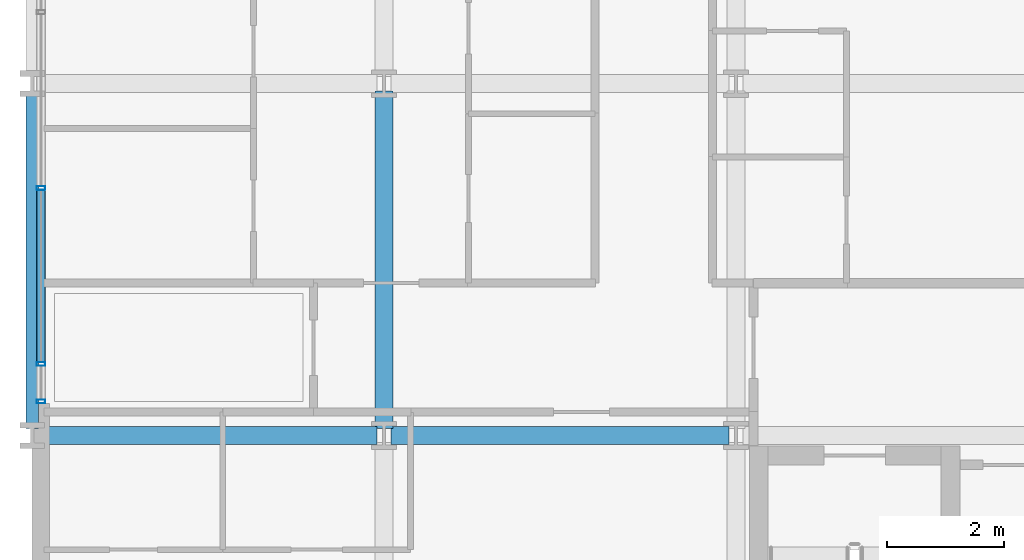
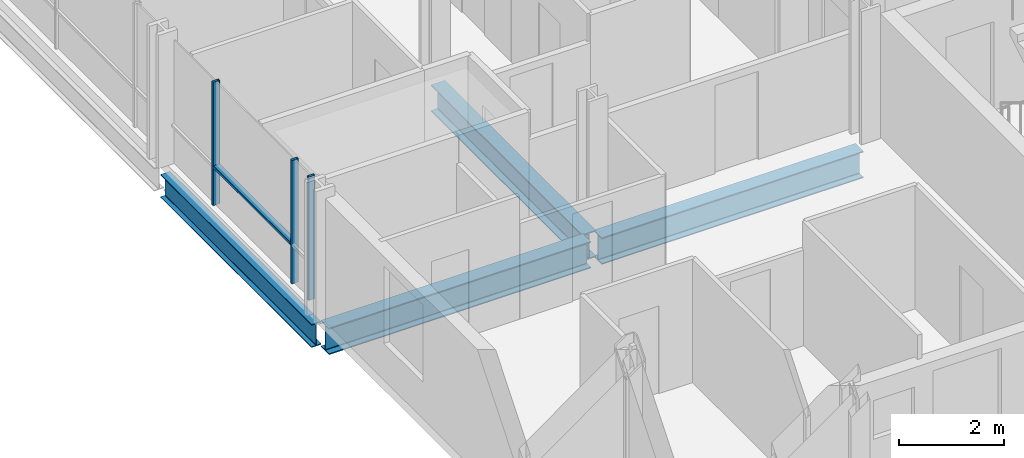
# One storey, part 2 of 41: 4 beams, 4 members, 1 element without a shape of its own.
"""IFC4 building model written with IfcOpenShell, lengths in metres."""

from ifc_helpers import new_model, si_unit, direction, frame, origin, origin_2d, place, context, subcontext, project, spatial, hollow_rectangle, i_section, extrude, material, layer, layer_set, material_profile, profile_set, type_object, element, aggregate, save


model = new_model("IFC4")

# Units and contexts
model_context = context("Model", 3, precision=1e-05, world=origin(), true_north=direction((0.0, 1.0)))
body_context = subcontext(model_context, "Body", "Model", "MODEL_VIEW")
ifc_project = project(units=[si_unit("LENGTHUNIT", "METRE"), si_unit("AREAUNIT", "SQUARE_METRE"), si_unit("VOLUMEUNIT", "CUBIC_METRE"), si_unit("PLANEANGLEUNIT", "RADIAN"), si_unit("MASSUNIT", "GRAM", prefix="KILO")], contexts=[model_context])

# Site, building, storey
site_placement = place(None, origin())
site = spatial("IfcSite", under=ifc_project, at=site_placement, CompositionType="ELEMENT")
building_placement = place(site_placement, origin())
building = spatial("IfcBuilding", under=site, at=building_placement, Name="Brevholm Reach", CompositionType="ELEMENT")
storey_placement = place(building_placement, frame((0.0, 0.0, 43.5)))
storey = spatial("IfcBuildingStorey", under=building, at=storey_placement, Name="L11", CompositionType="ELEMENT", Elevation=43.5)

# Beams
ifc_material_1 = material(Name="Structural Steel S355J2", Category="steel")
ifc_material_profile_1 = material_profile(ifc_material_1, i_section(OverallWidth=0.210693359375, OverallDepth=0.53955078125, WebThickness=0.01171875, FlangeThickness=0.018798828125, FilletRadius=0.0126953125, at=origin_2d()), Name="UKB 533x210x109")
ifc_profile_set_1 = profile_set([ifc_material_profile_1], Name="Structural Steel S355J2")
beam_type_1 = type_object("IfcBeamType", Name="BM-SP539", PredefinedType="SPANDREL", material=ifc_profile_set_1)
beam_placement = place(storey_placement, frame((0.0, 10.1201171875, -0.499755859375), z_axis=(0.0, 1.0, 0.0), x_axis=(-1.0, 0.0, 0.0)))
element("IfcBeam", 1, at=beam_placement, inside=storey, type_object=beam_type_1, Name="L11 SP-01B Framing Beam", PredefinedType="SPANDREL", context=body_context, shape_type="SweptSolid", body=[
    extrude(i_section(OverallWidth=0.210693359375, OverallDepth=0.53955078125, WebThickness=0.01171875, FlangeThickness=0.018798828125, FilletRadius=0.0126953125, at=origin_2d()), origin(), (0.0, 0.0, 1.0), 5.759765625),
])
ifc_material_2 = material(Name="Structural Steel S355J2", Category="steel")
ifc_material_profile_2 = material_profile(ifc_material_2, i_section(OverallWidth=0.30712890625, OverallDepth=0.6201171875, WebThickness=0.01416015625, FlangeThickness=0.023681640625, FilletRadius=0.0166015625, at=origin_2d()), Name="UKB 610x305x179")
ifc_profile_set_2 = profile_set([ifc_material_profile_2], Name="Structural Steel S355J2")
beam_type_2 = type_object("IfcBeamType", Name="BM-UKB610H", PredefinedType="USERDEFINED", material=ifc_profile_set_2)
for number, where, z_axis, x_axis, name in (
    (2, (0.1201171875, 10.0, -0.5400390625), (1.0, 0.0, 0.0), (0.0, 1.0, 0.0), "L11 G-06 Framing Beam"),
    (3, (6.1201171875, 10.0, -0.5400390625), (1.0, 0.0, 0.0), (0.0, 1.0, 0.0), "L11 G-06 Framing Beam"),
    (4, (6.0, 10.1201171875, -0.5400390625), (0.0, 1.0, 0.0), (-1.0, 0.0, 0.0), "L11 G-06 Framing Beam"),
):
    element("IfcBeam", number, at=place(storey_placement, frame(where, z_axis=z_axis, x_axis=x_axis)), inside=storey, type_object=beam_type_2, Name=name, ObjectType="GIRDER", PredefinedType="USERDEFINED", context=body_context, shape_type="SweptSolid", body=[
        extrude(i_section(OverallWidth=0.30712890625, OverallDepth=0.6201171875, WebThickness=0.01416015625, FlangeThickness=0.023681640625, FilletRadius=0.0166015625, at=origin_2d()), origin(), (0.0, 0.0, 1.0), 5.759765625),
    ])

# Curtain wall, members
ifc_material_3 = material(Name="Dark Anodised Aluminium 6063-T6 and Solar-Control Glass", Category="aluminium")
ifc_layer = layer(ifc_material_3, 0.14990234375)
ifc_layer_set = layer_set([ifc_layer], Name="Dark Anodised Aluminium 6063-T6 and Solar-Control Glass")
curtain_wall_type = type_object("IfcCurtainWallType", Name="CW-01", PredefinedType="NOTDEFINED", material=ifc_layer_set)
curtain_wall_placement = place(storey_placement, origin())
curtain_wall = element("IfcCurtainWall", 5, at=curtain_wall_placement, inside=storey, type_object=curtain_wall_type, Name="L11 Curtain Wall CW-01", PredefinedType="NOTDEFINED")
ifc_material_4 = material(Name="Dark Anodised Aluminium 6063-T6", Category="aluminium")
ifc_material_profile_3 = material_profile(ifc_material_4, hollow_rectangle(XDim=0.06494140625, YDim=0.14990234375, WallThickness=0.0048828125, InnerFilletRadius=0.0048828125, OuterFilletRadius=0.010009765625, at=origin_2d()), Name="RHS 150x65x5")
ifc_profile_set_3 = profile_set([ifc_material_profile_3], Name="Dark Anodised Aluminium 6063-T6")
member_type_1 = type_object("IfcMemberType", Name="CWM-150", PredefinedType="MULLION", material=ifc_profile_set_3)
member_1_placement = place(storey_placement, frame((0.14990234375, 14.219970703125, 0.0), z_axis=(0.0, 0.0, 1.0), x_axis=(0.0, -1.0, 0.0)))
member_1 = element("IfcMember", 6, at=member_1_placement, type_object=member_type_1, Name="CM-150 Mullion 4", PredefinedType="MULLION", context=body_context, shape_type="SweptSolid", body=[
    extrude(hollow_rectangle(XDim=0.06494140625, YDim=0.14990234375, WallThickness=0.0048828125, InnerFilletRadius=0.0048828125, OuterFilletRadius=0.010009765625, at=origin_2d()), origin(), (0.0, 0.0, 1.0), 2.8701171875),
])
member_2_placement = place(storey_placement, frame((0.14990234375, 11.219970703125, 0.0), z_axis=(0.0, 0.0, 1.0), x_axis=(0.0, -1.0, 0.0)))
member_2 = element("IfcMember", 7, at=member_2_placement, type_object=member_type_1, Name="CM-150 Mullion 5", PredefinedType="MULLION", context=body_context, shape_type="SweptSolid", body=[
    extrude(hollow_rectangle(XDim=0.06494140625, YDim=0.14990234375, WallThickness=0.0048828125, InnerFilletRadius=0.0048828125, OuterFilletRadius=0.010009765625, at=origin_2d()), origin(), (0.0, 0.0, 1.0), 2.8701171875),
])
member_3_placement = place(storey_placement, frame((0.14990234375, 10.58251953125, 0.0), z_axis=(0.0, 0.0, 1.0), x_axis=(0.0, -1.0, 0.0)))
member_3 = element("IfcMember", 8, at=member_3_placement, type_object=member_type_1, Name="CM-150 Mullion 6", PredefinedType="MULLION", context=body_context, shape_type="SweptSolid", body=[
    extrude(hollow_rectangle(XDim=0.06494140625, YDim=0.14990234375, WallThickness=0.0048828125, InnerFilletRadius=0.0048828125, OuterFilletRadius=0.010009765625, at=origin_2d()), origin(), (0.0, 0.0, 1.0), 2.8701171875),
])
ifc_material_5 = material(Name="Dark Anodised Aluminium 6063-T6", Category="aluminium")
ifc_material_profile_4 = material_profile(ifc_material_5, hollow_rectangle(XDim=0.06494140625, YDim=0.14990234375, WallThickness=0.0048828125, InnerFilletRadius=0.0048828125, OuterFilletRadius=0.010009765625, at=origin_2d()), Name="RHS 150x65x5")
ifc_profile_set_4 = profile_set([ifc_material_profile_4], Name="Dark Anodised Aluminium 6063-T6")
member_type_2 = type_object("IfcMemberType", Name="CWT-150", PredefinedType="NOTDEFINED", material=ifc_profile_set_4)
member_4_placement = place(storey_placement, frame((0.14990234375, 14.1875, 0.89990234375), z_axis=(0.0, -1.0, 0.0), x_axis=(0.0, 0.0, 1.0)))
member_4 = element("IfcMember", 9, at=member_4_placement, type_object=member_type_2, Name="CT-150 Transom 4.1", ObjectType="TRANSOM", PredefinedType="USERDEFINED", context=body_context, shape_type="SweptSolid", body=[
    extrude(hollow_rectangle(XDim=0.06494140625, YDim=0.14990234375, WallThickness=0.0048828125, InnerFilletRadius=0.0048828125, OuterFilletRadius=0.010009765625, at=origin_2d()), origin(), (0.0, 0.0, 1.0), 2.93505859375),
])
aggregate(curtain_wall, [member_1, member_2, member_3, member_4])

save(model, "model.ifc")
